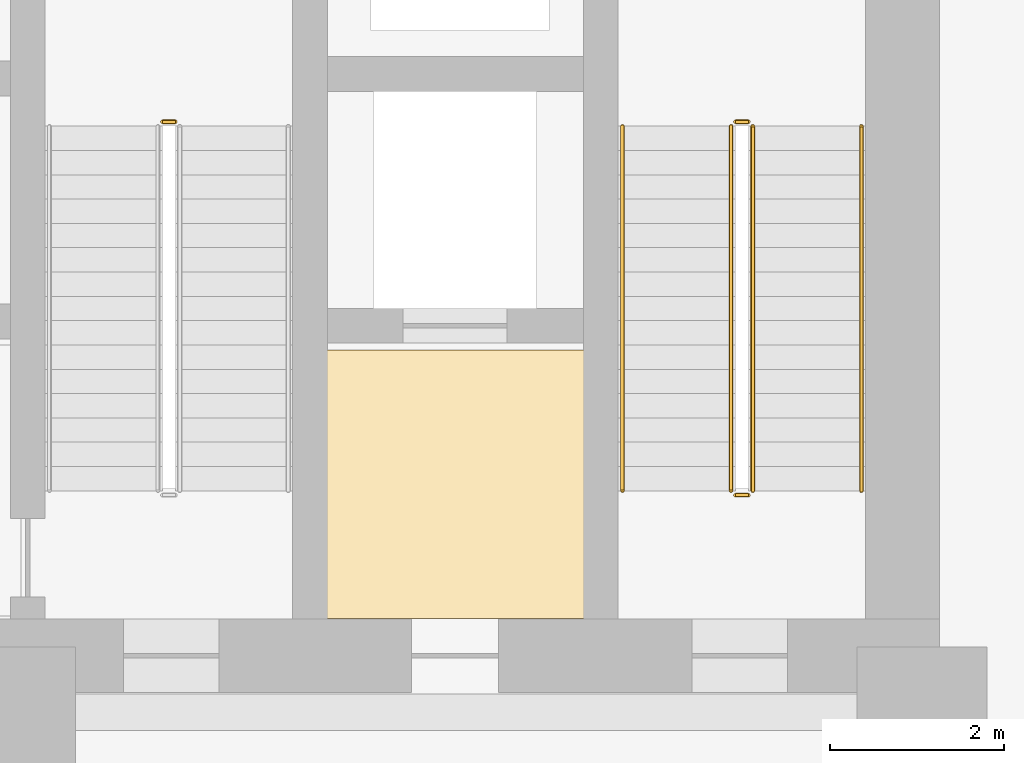
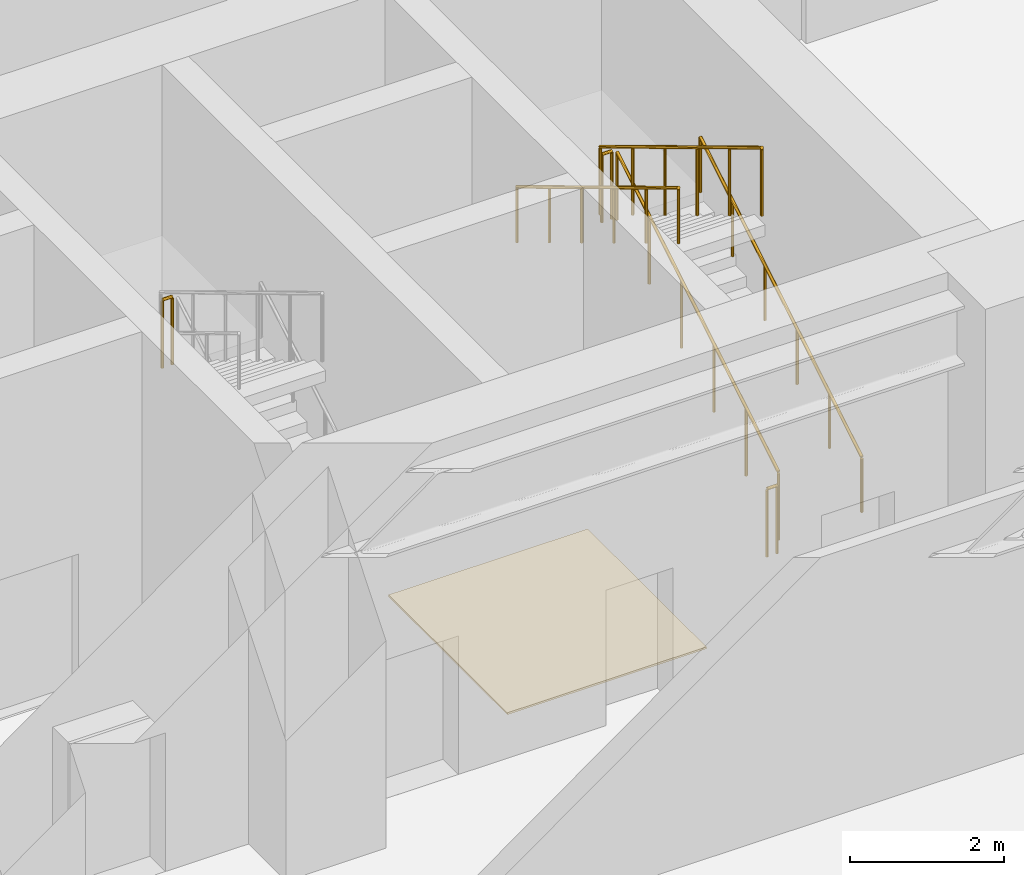
# One storey, part 30 of 31: 7 railings, 1 covering.
"""IFC4 building model written with IfcOpenShell, lengths in metres."""

import ifcopenshell
import ifcopenshell.guid

model = None  # the IFC model being written
_history = None  # IfcOwnerHistory: only IFC2X3 demands one
_inside = {}  # id of a spatial element -> (the spatial element, [elements in it])
_under = {}  # id of a project, library or spatial element -> (it, [spatial elements below it])
_declared = {}  # id of a project -> (the project, [libraries it declares])
_typed = {}  # id of a type object -> (the type object, [elements of that type])
_made_of = {}  # id of a material, layer set ... -> (it, [elements and type objects made of it])


def new_model(schema):
    """Start an empty IFC model of exactly this schema.

    Asked for "IFC4X3", IfcOpenShell would pick the latest addendum, in which some entities
    have other attributes; the version numbers below select the first issue.
    IFC2X3 requires an IfcOwnerHistory on every rooted entity: one is made here for all.
    """
    global model, _history
    if schema == "IFC4X3":
        model = ifcopenshell.file(schema_version=(4, 3, 0, 0))
    else:
        model = ifcopenshell.file(schema=schema)
    _inside.clear()
    _under.clear()
    _declared.clear()
    _typed.clear()
    _made_of.clear()
    _history = None
    if model.schema == "IFC2X3":
        org = make("IfcOrganization", Name="unknown")
        user = make(
            "IfcPersonAndOrganization",
            ThePerson=make("IfcPerson", FamilyName="unknown"),
            TheOrganization=org,
        )
        app = make(
            "IfcApplication",
            ApplicationDeveloper=org,
            Version="unknown",
            ApplicationFullName="unknown",
            ApplicationIdentifier="unknown",
        )
        _history = make(
            "IfcOwnerHistory",
            OwningUser=user,
            OwningApplication=app,
            ChangeAction="ADDED",
            CreationDate=0,
        )
    return model


def make(cls, **values):
    """One entity of the class cls with the attributes given. An attribute that is None is left unset."""
    return model.create_entity(
        cls, **{name: value for name, value in values.items() if value is not None}
    )


def rooted(cls, **values):
    """An entity with a GlobalId (a new one), such as an element, a storey or a relation."""
    return make(cls, GlobalId=ifcopenshell.guid.new(), OwnerHistory=_history, **values)


def si_unit(unit_type, name, prefix=None):
    """IfcSIUnit, for example si_unit("LENGTHUNIT", "METRE", prefix="MILLI")."""
    return make("IfcSIUnit", UnitType=unit_type, Prefix=prefix, Name=name)


def assignment(units):
    """IfcUnitAssignment: the units of a project."""
    return None if units is None else make("IfcUnitAssignment", Units=units)


def point(xyz):
    """IfcCartesianPoint."""
    return None if xyz is None else make("IfcCartesianPoint", Coordinates=xyz)


def direction(xyz):
    """IfcDirection."""
    return None if xyz is None else make("IfcDirection", DirectionRatios=xyz)


def frame(location, z_axis=None, x_axis=None):
    """IfcAxis2Placement3D, a coordinate frame: its origin and axes. An axis left out is left unset."""
    return make(
        "IfcAxis2Placement3D",
        Location=point(location),
        Axis=direction(z_axis),
        RefDirection=direction(x_axis),
    )


def frame_2d(location, x_axis=None):
    """IfcAxis2Placement2D, a coordinate frame in the plane: its origin and x axis."""
    return make(
        "IfcAxis2Placement2D", Location=point(location), RefDirection=direction(x_axis)
    )


def origin():
    """The frame at (0, 0, 0) with its axes left unset."""
    return frame((0.0, 0.0, 0.0))


def origin_2d():
    """The frame at (0, 0) in the plane with its x axis left unset."""
    return frame_2d((0.0, 0.0))


def place(relative_to, where):
    """IfcLocalPlacement: puts the frame where relative to a parent placement (None: the world)."""
    return make(
        "IfcLocalPlacement", PlacementRelTo=relative_to, RelativePlacement=where
    )


def context(
    kind, dimensions, precision=None, world=None, true_north=None, identifier=None
):
    """IfcGeometricRepresentationContext, for example the 3D "Model" context."""
    return make(
        "IfcGeometricRepresentationContext",
        ContextIdentifier=identifier,
        ContextType=kind,
        CoordinateSpaceDimension=dimensions,
        Precision=precision,
        WorldCoordinateSystem=world,
        TrueNorth=true_north,
    )


def subcontext(parent, identifier, kind, view, scale=None):
    """IfcGeometricRepresentationSubContext, for example "Body" below "Model"."""
    return make(
        "IfcGeometricRepresentationSubContext",
        ContextIdentifier=identifier,
        ContextType=kind,
        ParentContext=parent,
        TargetScale=scale,
        TargetView=view,
    )


def project(units=None, contexts=None):
    """IfcProject with its units and contexts."""
    return rooted(
        "IfcProject",
        Name="project",
        RepresentationContexts=contexts,
        UnitsInContext=assignment(units),
    )


def spatial(cls, under=None, at=None, **own):
    """A site, building, storey or space (cls), placed at a placement, below another one or the project."""
    s = rooted(cls, ObjectPlacement=at, **own)
    if under is not None:
        _under.setdefault(under.id(), (under, []))[1].append(s)
    return s


def polyline(points):
    """IfcPolyline through the points."""
    return make("IfcPolyline", Points=[point(p) for p in points])


def profile(cls, at=None, kind="AREA", **sizes):
    """A parametric profile (cls). Its sizes go by their IFC names, for example OverallWidth=200.0."""
    return make(cls, ProfileType=kind, Position=at, **sizes)


def circle(**sizes):
    """IfcCircleProfileDef."""
    return profile("IfcCircleProfileDef", **sizes)


def outline(outer, holes=None, kind="AREA"):
    """IfcArbitraryClosedProfileDef: a profile drawn as a closed curve; with holes, ...WithVoids."""
    if holes is None:
        return make("IfcArbitraryClosedProfileDef", ProfileType=kind, OuterCurve=outer)
    return make(
        "IfcArbitraryProfileDefWithVoids",
        ProfileType=kind,
        OuterCurve=outer,
        InnerCurves=holes,
    )


def extrude(swept, where, along, depth):
    """IfcExtrudedAreaSolid: the profile swept, set in the frame where, extruded along a direction by depth."""
    return make(
        "IfcExtrudedAreaSolid",
        SweptArea=swept,
        Position=where,
        ExtrudedDirection=direction(along),
        Depth=depth,
    )


def shape(context_of_items, identifier, shape_type, items):
    """IfcShapeRepresentation: the items that make up one representation, for example the "Body"."""
    return make(
        "IfcShapeRepresentation",
        ContextOfItems=context_of_items,
        RepresentationIdentifier=identifier,
        RepresentationType=shape_type,
        Items=items,
    )


def material(Name=None, Category=None):
    """IfcMaterial."""
    return make("IfcMaterial", Name=Name, Category=Category)


def layer(
    of_material, thickness, ventilated=None, Name=None, Category=None, Priority=None
):
    """IfcMaterialLayer: one layer of a wall or slab, of a material (None: an air gap)."""
    return make(
        "IfcMaterialLayer",
        Material=of_material,
        LayerThickness=thickness,
        IsVentilated=ventilated,
        Name=Name,
        Category=Category,
        Priority=Priority,
    )


def layer_set(layers, Name=None):
    """IfcMaterialLayerSet."""
    return make("IfcMaterialLayerSet", MaterialLayers=layers, LayerSetName=Name)


def made_of(thing, what):
    """Note that an element or type object is made of a material, layer set ...; save() writes the relation."""
    if what is not None:
        _made_of.setdefault(what.id(), (what, []))[1].append(thing)
    return thing


def type_object(cls, material=None, **own):
    """A type object (cls), such as IfcWallType, which elements share."""
    return made_of(rooted(cls, **own), material)


def element(
    cls,
    number,
    at=None,
    inside=None,
    cuts=None,
    type_object=None,
    material=None,
    context=None,
    identifier="Body",
    shape_type=None,
    held_by="IfcProductDefinitionShape",
    body=None,
    shapes=None,
    **own,
):
    """One element of the class cls, such as IfcWall. Its Tag is "e" and its number.

    at: its placement. inside: the storey or other place that contains it. cuts: it is an
    opening in that element (IfcRelVoidsElement). A single representation is given by context,
    identifier, shape_type and body (its items); several are given by shapes. held_by: the class
    of the entity that holds the representations. save() writes the other relations.
    """
    e = rooted(cls, Tag="e%d" % number, ObjectPlacement=at, **own)
    if body is not None:
        shapes = [shape(context, identifier, shape_type, body)]
    if shapes is not None:
        e.Representation = make(held_by, Representations=shapes)
    if inside is not None:
        _inside.setdefault(inside.id(), (inside, []))[1].append(e)
    if cuts is not None:
        rooted(
            "IfcRelVoidsElement", RelatingBuildingElement=cuts, RelatedOpeningElement=e
        )
    if type_object is not None:
        _typed.setdefault(type_object.id(), (type_object, []))[1].append(e)
    return made_of(e, material)


def aggregate(whole, parts):
    """IfcRelAggregates: a whole, such as a stair, and the parts it consists of."""
    return rooted("IfcRelAggregates", RelatingObject=whole, RelatedObjects=parts)


def save(model, path):
    """Write the relations noted so far, then the file.

    IfcRelAggregates (storeys below a building ...), IfcRelContainedInSpatialStructure (elements
    in a storey), IfcRelDefinesByType, IfcRelAssociatesMaterial and IfcRelDeclares: one each for
    every whole, place, type object, material and project.
    """
    for whole, parts in _under.values():
        aggregate(whole, parts)
    for where, things in _inside.values():
        rooted(
            "IfcRelContainedInSpatialStructure",
            RelatedElements=things,
            RelatingStructure=where,
        )
    for kind, things in _typed.values():
        rooted("IfcRelDefinesByType", RelatedObjects=things, RelatingType=kind)
    for what, things in _made_of.values():
        rooted("IfcRelAssociatesMaterial", RelatedObjects=things, RelatingMaterial=what)
    for by, libraries in _declared.values():
        rooted("IfcRelDeclares", RelatingContext=by, RelatedDefinitions=libraries)
    model.write(path)


model = new_model("IFC4")

# Units and contexts
model_context = context("Model", 3, precision=1e-05, world=origin(), true_north=direction((0.0, 1.0)))
body_context = subcontext(model_context, "Body", "Model", "MODEL_VIEW")
ifc_project = project(units=[si_unit("LENGTHUNIT", "METRE"), si_unit("AREAUNIT", "SQUARE_METRE"), si_unit("VOLUMEUNIT", "CUBIC_METRE"), si_unit("PLANEANGLEUNIT", "RADIAN"), si_unit("MASSUNIT", "GRAM", prefix="KILO")], contexts=[model_context])

# Site, building, storey
site_placement = place(None, origin())
site = spatial("IfcSite", under=ifc_project, at=site_placement, CompositionType="ELEMENT")
building_placement = place(site_placement, origin())
building = spatial("IfcBuilding", under=site, at=building_placement, Name="Kravanh Interchange Tower", CompositionType="ELEMENT")
storey_placement = place(building_placement, origin())
storey = spatial("IfcBuildingStorey", under=building, at=storey_placement, Name="L00", CompositionType="ELEMENT", Elevation=0.0)

# Covering
ifc_material_1 = material(Name="Cementitious Terrazzo Tile")
ifc_layer_1 = layer(ifc_material_1, 0.030029296875)
ifc_layer_set_1 = layer_set([ifc_layer_1], Name="Honed Terrazzo Lobby Flooring 30mm")
covering_type = type_object("IfcCoveringType", Name="Honed Terrazzo Lobby Flooring 30mm", PredefinedType="FLOORING", material=ifc_layer_set_1)
covering_placement = place(storey_placement, origin())
element("IfcCovering", 1, at=covering_placement, inside=storey, type_object=covering_type, Name="L00 Service Lift Lobby Floor Finish", PredefinedType="FLOORING", context=body_context, shape_type="SweptSolid", body=[
    extrude(outline(polyline([(59.6298828125, 41.52001953125), (62.6201171875, 41.52001953125), (62.6201171875, 38.429931640625), (59.6298828125, 38.429931640625), (59.6298828125, 41.52001953125)])), origin(), (0.0, 0.0, 1.0), 0.030029296875),
])

# Railings
ifc_material_2 = material(Name="Structural Steel S355", Category="steel")
ifc_layer_2 = layer(ifc_material_2, 0.050048828125)
ifc_layer_set_2 = layer_set([ifc_layer_2], Name="Stair Well Guardrail Structural Steel S355 1100mm")
railing_type_1 = type_object("IfcRailingType", Name="Stair Well Guardrail Structural Steel S355 1100mm", PredefinedType="GUARDRAIL", material=ifc_layer_set_2)
railing_1_placement = place(storey_placement, frame((64.550048828125, 39.89990234375, 0.168701171875)))
element("IfcRailing", 2, at=railing_1_placement, inside=storey, type_object=railing_type_1, Name="L00 ST1 stair guard 1", PredefinedType="GUARDRAIL", context=body_context, shape_type="SweptSolid", body=[
    extrude(circle(Radius=0.02392578125, at=origin_2d()), frame((0.0, 0.0, 1.076171875), z_axis=(0.0, 0.856489757249, 0.516164020179), x_axis=(-1.0, 0.0, 0.0)), (0.0, 0.0, 1.0), 4.904052734375),
    extrude(circle(Radius=0.02099609375, at=origin_2d()), origin(), (0.0, 0.0, 1.0), 1.052001953125),
    extrude(circle(Radius=0.02099609375, at=origin_2d()), frame((0.0, 0.840087890625, 0.50634765625)), (0.0, 0.0, 1.0), 1.052001953125),
    extrude(circle(Radius=0.02099609375, at=origin_2d()), frame((0.0, 1.68017578125, 1.012451171875)), (0.0, 0.0, 1.0), 1.052001953125),
    extrude(circle(Radius=0.02099609375, at=origin_2d()), frame((0.0, 2.52001953125, 1.518798828125)), (0.0, 0.0, 1.0), 1.052001953125),
    extrude(circle(Radius=0.02099609375, at=origin_2d()), frame((0.0, 3.360107421875, 2.02490234375)), (0.0, 0.0, 1.0), 1.052001953125),
    extrude(circle(Radius=0.02099609375, at=origin_2d()), frame((0.0, 4.2001953125, 2.53125)), (0.0, 0.0, 1.0), 1.052001953125),
])
railing_2_placement = place(storey_placement, frame((64.5, 44.14990234375, 2.699951171875)))
element("IfcRailing", 3, at=railing_2_placement, inside=storey, type_object=railing_type_1, Name="L00 ST1 stair guard 2", PredefinedType="GUARDRAIL", context=body_context, shape_type="SweptSolid", body=[
    extrude(circle(Radius=0.02392578125, at=origin_2d()), frame((0.0, 0.0, 1.076171875), z_axis=(-1.0, 0.0, 0.0), x_axis=(0.0, -1.0, 0.0)), (0.0, 0.0, 1.0), 0.14990234375),
    extrude(circle(Radius=0.02099609375, at=origin_2d()), origin(), (0.0, 0.0, 1.0), 1.052001953125),
    extrude(circle(Radius=0.02099609375, at=origin_2d()), frame((-0.14990234375, 0.0, 0.0)), (0.0, 0.0, 1.0), 1.052001953125),
])
railing_3_placement = place(storey_placement, frame((64.300048828125, 44.10009765625, 2.86865234375)))
element("IfcRailing", 4, at=railing_3_placement, inside=storey, type_object=railing_type_1, Name="L00 ST1 stair guard 3", PredefinedType="GUARDRAIL", context=body_context, shape_type="SweptSolid", body=[
    extrude(circle(Radius=0.02392578125, at=origin_2d()), frame((0.0, 0.0, 1.076171875), z_axis=(0.0, -0.856489757249, 0.516164020179), x_axis=(1.0, 0.0, 0.0)), (0.0, 0.0, 1.0), 4.904052734375),
    extrude(circle(Radius=0.02099609375, at=origin_2d()), origin(), (0.0, 0.0, 1.0), 1.052001953125),
    extrude(circle(Radius=0.02099609375, at=origin_2d()), frame((0.0, -0.840087890625, 0.50634765625)), (0.0, 0.0, 1.0), 1.052001953125),
    extrude(circle(Radius=0.02099609375, at=origin_2d()), frame((0.0, -1.68017578125, 1.012451171875)), (0.0, 0.0, 1.0), 1.052001953125),
    extrude(circle(Radius=0.02099609375, at=origin_2d()), frame((0.0, -2.52001953125, 1.518798828125)), (0.0, 0.0, 1.0), 1.052001953125),
    extrude(circle(Radius=0.02099609375, at=origin_2d()), frame((0.0, -3.360107421875, 2.02490234375)), (0.0, 0.0, 1.0), 1.052001953125),
    extrude(circle(Radius=0.02099609375, at=origin_2d()), frame((0.0, -4.2001953125, 2.53125)), (0.0, 0.0, 1.0), 1.052001953125),
])
for number, where, name in (
    (5, (64.5, 39.85009765625, 0.0), "L00 ST1 stair guard 4"),
    (6, (57.89990234375, 44.14990234375, 2.699951171875), "L00 ST2 stair guard 2"),
):
    element("IfcRailing", number, at=place(storey_placement, frame(where)), inside=storey, type_object=railing_type_1, Name=name, PredefinedType="GUARDRAIL", context=body_context, shape_type="SweptSolid", body=[
        extrude(circle(Radius=0.02392578125, at=origin_2d()), frame((0.0, 0.0, 1.076171875), z_axis=(-1.0, 0.0, 0.0), x_axis=(0.0, -1.0, 0.0)), (0.0, 0.0, 1.0), 0.14990234375),
        extrude(circle(Radius=0.02099609375, at=origin_2d()), origin(), (0.0, 0.0, 1.0), 1.052001953125),
        extrude(circle(Radius=0.02099609375, at=origin_2d()), frame((-0.14990234375, 0.0, 0.0)), (0.0, 0.0, 1.0), 1.052001953125),
    ])
ifc_material_3 = material(Name="Stainless Steel 304", Category="steel")
ifc_layer_3 = layer(ifc_material_3, 0.044921875)
ifc_layer_set_3 = layer_set([ifc_layer_3], Name="Tubular Stair Handrail Stainless 304 900mm")
railing_type_2 = type_object("IfcRailingType", Name="Tubular Stair Handrail Stainless 304 900mm", PredefinedType="HANDRAIL", material=ifc_layer_set_3)
railing_4_placement = place(storey_placement, frame((65.800048828125, 39.89990234375, 0.168701171875)))
element("IfcRailing", 7, at=railing_4_placement, inside=storey, type_object=railing_type_2, Name="L00 ST1 stair handrail 1", PredefinedType="HANDRAIL", context=body_context, shape_type="SweptSolid", body=[
    extrude(circle(Radius=0.02392578125, at=origin_2d()), frame((0.0, 0.0, 0.8759765625), z_axis=(0.0, 0.856489757249, 0.516164020179), x_axis=(-1.0, 0.0, 0.0)), (0.0, 0.0, 1.0), 4.904052734375),
    extrude(circle(Radius=0.02099609375, at=origin_2d()), origin(), (0.0, 0.0, 1.0), 0.851806640625),
    extrude(circle(Radius=0.02099609375, at=origin_2d()), frame((0.0, 0.840087890625, 0.50634765625)), (0.0, 0.0, 1.0), 0.851806640625),
    extrude(circle(Radius=0.02099609375, at=origin_2d()), frame((0.0, 1.68017578125, 1.012451171875)), (0.0, 0.0, 1.0), 0.851806640625),
    extrude(circle(Radius=0.02099609375, at=origin_2d()), frame((0.0, 2.52001953125, 1.518798828125)), (0.0, 0.0, 1.0), 0.851806640625),
    extrude(circle(Radius=0.02099609375, at=origin_2d()), frame((0.0, 3.360107421875, 2.02490234375)), (0.0, 0.0, 1.0), 0.851806640625),
    extrude(circle(Radius=0.02099609375, at=origin_2d()), frame((0.0, 4.2001953125, 2.53125)), (0.0, 0.0, 1.0), 0.851806640625),
])
railing_5_placement = place(storey_placement, frame((63.050048828125, 44.10009765625, 2.86865234375)))
element("IfcRailing", 8, at=railing_5_placement, inside=storey, type_object=railing_type_2, Name="L00 ST1 stair handrail 2", PredefinedType="HANDRAIL", context=body_context, shape_type="SweptSolid", body=[
    extrude(circle(Radius=0.02392578125, at=origin_2d()), frame((0.0, 0.0, 0.8759765625), z_axis=(0.0, -0.856489757249, 0.516164020179), x_axis=(1.0, 0.0, 0.0)), (0.0, 0.0, 1.0), 4.904052734375),
    extrude(circle(Radius=0.02099609375, at=origin_2d()), origin(), (0.0, 0.0, 1.0), 0.851806640625),
    extrude(circle(Radius=0.02099609375, at=origin_2d()), frame((0.0, -0.840087890625, 0.50634765625)), (0.0, 0.0, 1.0), 0.851806640625),
    extrude(circle(Radius=0.02099609375, at=origin_2d()), frame((0.0, -1.68017578125, 1.012451171875)), (0.0, 0.0, 1.0), 0.851806640625),
    extrude(circle(Radius=0.02099609375, at=origin_2d()), frame((0.0, -2.52001953125, 1.518798828125)), (0.0, 0.0, 1.0), 0.851806640625),
    extrude(circle(Radius=0.02099609375, at=origin_2d()), frame((0.0, -3.360107421875, 2.02490234375)), (0.0, 0.0, 1.0), 0.851806640625),
    extrude(circle(Radius=0.02099609375, at=origin_2d()), frame((0.0, -4.2001953125, 2.53125)), (0.0, 0.0, 1.0), 0.851806640625),
])

save(model, "model.ifc")
